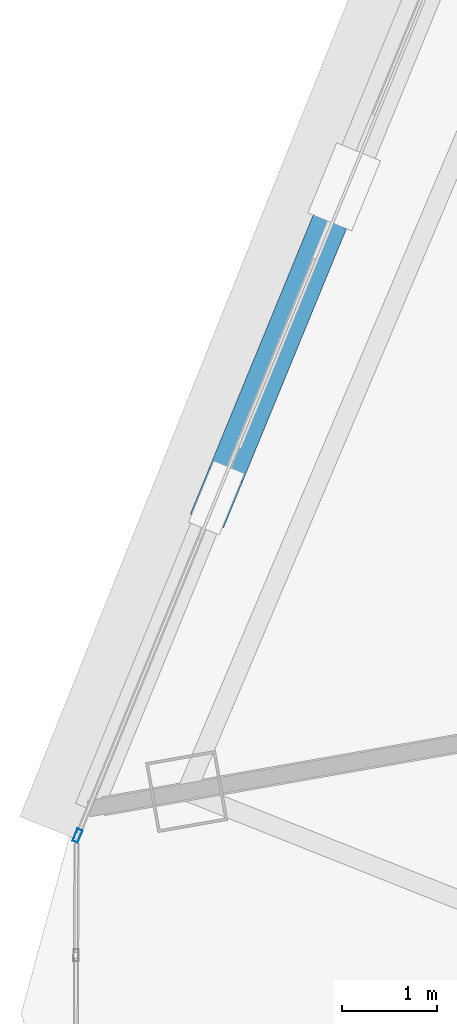
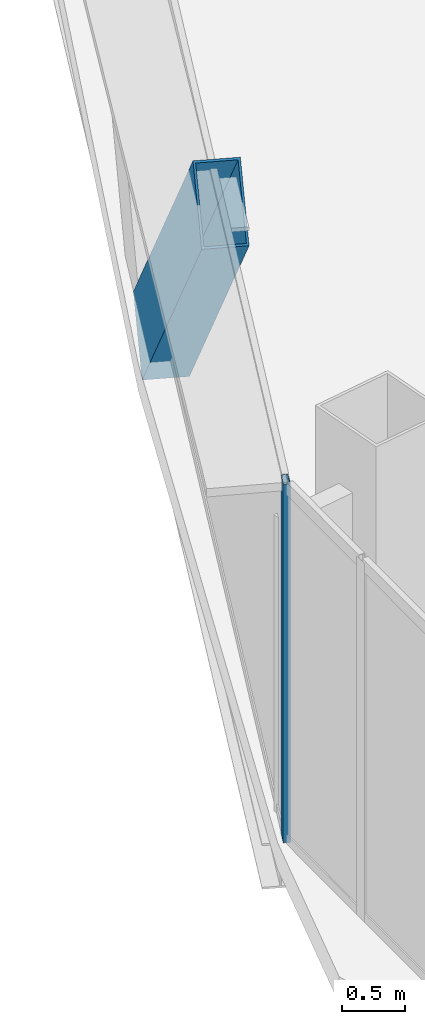
# One storey, part 4 of 33: 2 members, 1 element without a shape of its own.
"""IFC4 building model written with IfcOpenShell, lengths in metres."""

from ifc_helpers import new_model, si_unit, direction, frame, origin, origin_2d, place, context, subcontext, project, spatial, hollow_rectangle, extrude, source, transform, mapped, material, layer, layer_set, material_profile, profile_set, type_object, element, aggregate, save


model = new_model("IFC4")

# Units and contexts
model_context = context("Model", 3, precision=1e-05, world=origin(), true_north=direction((0.0, 1.0)))
body_context = subcontext(model_context, "Body", "Model", "MODEL_VIEW")
ifc_project = project(units=[si_unit("LENGTHUNIT", "METRE"), si_unit("AREAUNIT", "SQUARE_METRE"), si_unit("VOLUMEUNIT", "CUBIC_METRE"), si_unit("PLANEANGLEUNIT", "RADIAN"), si_unit("MASSUNIT", "GRAM", prefix="KILO"), si_unit("THERMODYNAMICTEMPERATUREUNIT", "KELVIN"), si_unit("POWERUNIT", "WATT")], contexts=[model_context])

# Site, building, storey
site_placement = place(None, origin())
site = spatial("IfcSite", under=ifc_project, at=site_placement, CompositionType="ELEMENT")
building_placement = place(site_placement, origin())
building = spatial("IfcBuilding", under=site, at=building_placement, Name="Yunzhuo Pagoda Commons", CompositionType="ELEMENT")
storey_placement = place(building_placement, frame((0.0, 0.0, 311.1298828125)))
storey = spatial("IfcBuildingStorey", under=building, at=storey_placement, Name="L78", CompositionType="ELEMENT", Elevation=311.1298828125)

# Member
ifc_material_1 = material(Name="Structural steel Q355B", Category="steel")
ifc_material_profile_1 = material_profile(ifc_material_1, hollow_rectangle(XDim=0.3798828125, YDim=0.719970703125, WallThickness=0.02001953125, at=origin_2d()), Name="Structural steel Q355B")
ifc_profile_set_1 = profile_set([ifc_material_profile_1], Name="Structural steel Q355B")
member_type_1 = type_object("IfcMemberType", Name="M-DL3 Brace BOX 720x380x20", PredefinedType="BRACE", material=ifc_profile_set_1)
shared_shape_1 = source(origin(), body_context, "Body", "SweptSolid", [
    extrude(hollow_rectangle(XDim=0.3798828125, YDim=0.719970703125, WallThickness=0.02001953125, at=origin_2d()), origin(), (0.0, 0.0, 1.0), 5.148681640625),
])
member_1_placement = place(storey_placement, frame((21.001708984375, 35.02978515625, -0.259765625), z_axis=(-0.261979384883, -0.637617518284, 0.724438197691), x_axis=(0.924968440779, -0.380043923202, 0.0)))
element("IfcMember", 1, at=member_1_placement, inside=storey, type_object=member_type_1, Name="L78 facade diamond brace F3.3R", PredefinedType="BRACE", context=body_context, shape_type="MappedRepresentation", body=[
    mapped(shared_shape_1, transform((0.0, 0.0, 0.0), scale=1.0)),
])

# Curtain wall, member
ifc_material_2 = material(Name="Anodized aluminium 6063-T6", Category="aluminium")
ifc_layer = layer(ifc_material_2, 0.139892578125)
ifc_layer_set = layer_set([ifc_layer], Name="Anodized aluminium 6063-T6")
curtain_wall_type = type_object("IfcCurtainWallType", Name="CW-HI High-Zone Ribbon Curtain Wall", PredefinedType="NOTDEFINED", material=ifc_layer_set)
curtain_wall_placement = place(storey_placement, origin())
curtain_wall = element("IfcCurtainWall", 2, at=curtain_wall_placement, inside=storey, type_object=curtain_wall_type, Name="L78 curtain wall CW-L78-F3B4", PredefinedType="NOTDEFINED")
ifc_material_profile_2 = material_profile(ifc_material_2, hollow_rectangle(XDim=0.06005859375, YDim=0.139892578125, WallThickness=0.00341796875, at=origin_2d()), Name="Anodized aluminium 6063-T6")
ifc_profile_set_2 = profile_set([ifc_material_profile_2], Name="Anodized aluminium 6063-T6")
member_type_2 = type_object("IfcMemberType", Name="CW-HI-M Mullion RHS 140x60x3.5", PredefinedType="MULLION", material=ifc_profile_set_2)
shared_shape_2 = source(origin(), body_context, "Body", "SweptSolid", [
    extrude(hollow_rectangle(XDim=0.06005859375, YDim=0.139892578125, WallThickness=0.00341796875, at=origin_2d()), origin(), (0.0, 0.0, 1.0), 3.47021484375),
])
member_2_placement = place(storey_placement, frame((18.187255859375, 28.180419921875, 0.0), z_axis=(0.0, 0.0, 1.0), x_axis=(0.924975207531, -0.380027453552, 0.0)))
member_2 = element("IfcMember", 3, at=member_2_placement, type_object=member_type_2, Name="CW mullion 2", PredefinedType="MULLION", context=body_context, shape_type="MappedRepresentation", body=[
    mapped(shared_shape_2, transform((0.0, 0.0, 0.0), scale=1.0)),
])
aggregate(curtain_wall, [member_2])

save(model, "model.ifc")
